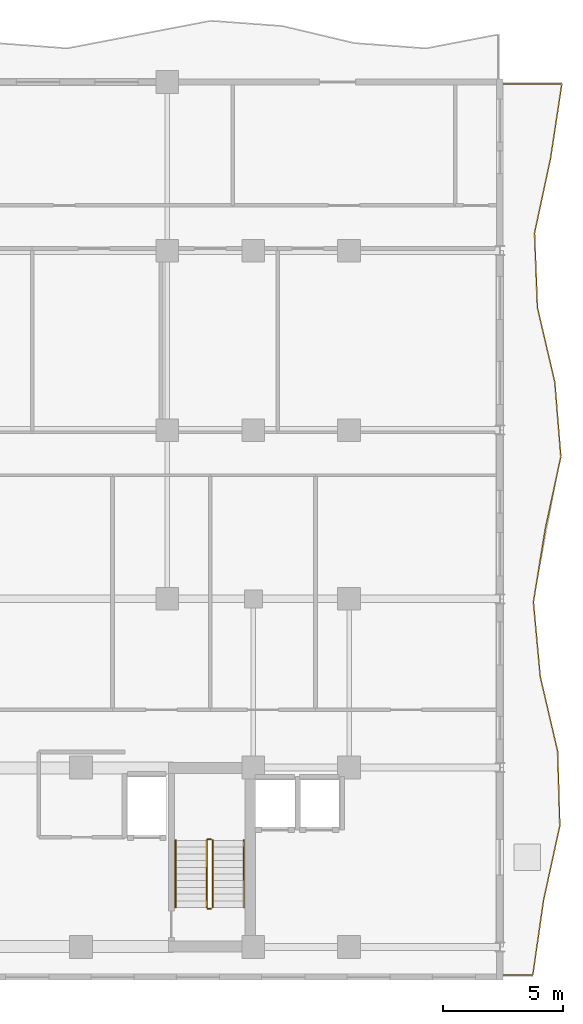
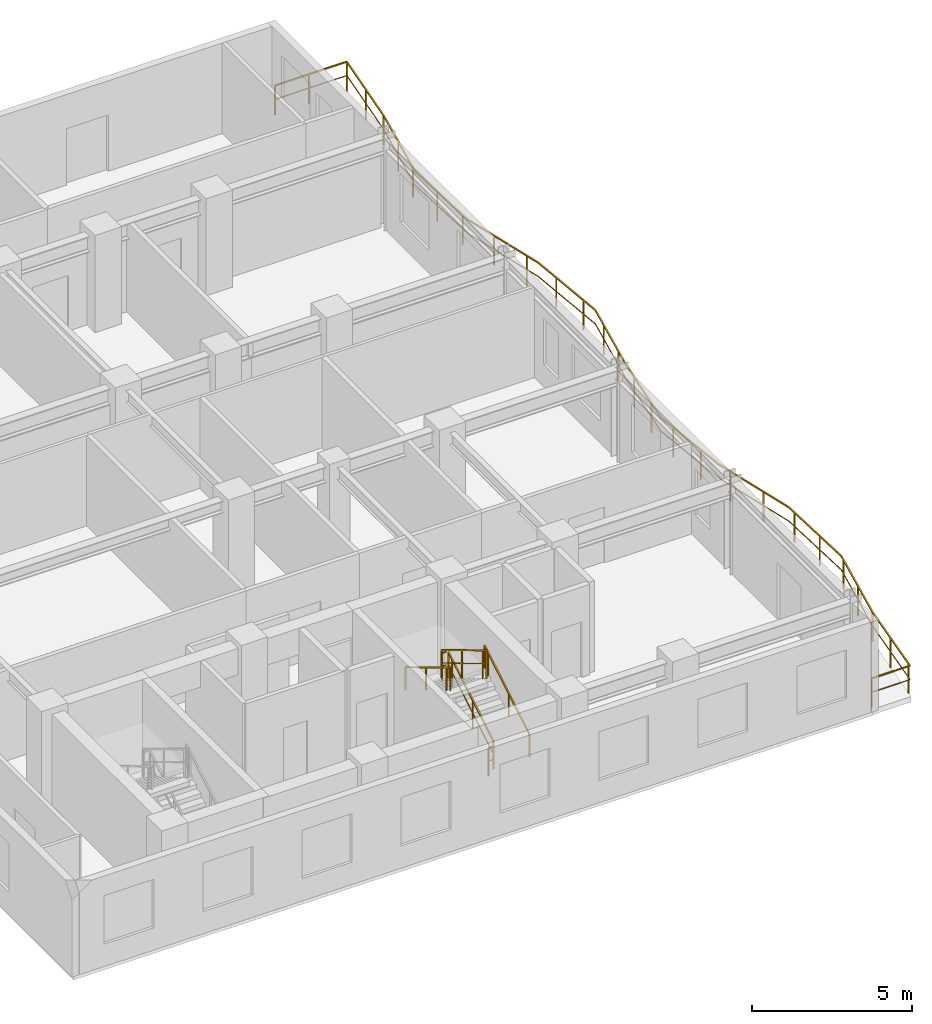
# One storey, part 15 of 16: 7 railings.
"""IFC4 building model written with IfcOpenShell, lengths in metres."""

from ifc_helpers import new_model, si_unit, direction, frame, origin, origin_2d, place, context, subcontext, project, spatial, rectangle, extrude, material, type_object, element, save


model = new_model("IFC4")

# Units and contexts
model_context = context("Model", 3, precision=1e-05, world=origin(), true_north=direction((0.0, 1.0)))
body_context = subcontext(model_context, "Body", "Model", "MODEL_VIEW")
ifc_project = project(units=[si_unit("LENGTHUNIT", "METRE"), si_unit("AREAUNIT", "SQUARE_METRE"), si_unit("VOLUMEUNIT", "CUBIC_METRE"), si_unit("PLANEANGLEUNIT", "RADIAN"), si_unit("MASSUNIT", "GRAM", prefix="KILO")], contexts=[model_context])

# Site, building, storey
site_placement = place(None, origin())
site = spatial("IfcSite", under=ifc_project, at=site_placement, CompositionType="ELEMENT")
building_placement = place(site_placement, origin())
building = spatial("IfcBuilding", under=site, at=building_placement, Name="Kaliganga Portal Commons", CompositionType="ELEMENT")
storey_placement = place(building_placement, frame((0.0, 0.0, 205.5)))
storey = spatial("IfcBuildingStorey", under=building, at=storey_placement, Name="L52", CompositionType="ELEMENT", Elevation=205.5)

# Railings
ifc_material_1 = material(Name="Laminated Safety Glass and Stainless Steel 316", Category="steel")
railing_type_1 = type_object("IfcRailingType", Name="RLG-BAL-1150", PredefinedType="BALUSTRADE", material=ifc_material_1)
railing_1_placement = place(storey_placement, frame((60.707275390625, 5.879638671875, 0.0)))
element("IfcRailing", 1, at=railing_1_placement, inside=storey, type_object=railing_type_1, Name="Balcony Guardrail L52 balc_east", PredefinedType="BALUSTRADE", context=body_context, shape_type="SweptSolid", body=[
    extrude(rectangle(XDim=0.048095703125, YDim=0.048095703125, at=origin_2d()), frame((0.0, 0.0, 1.1259765625), z_axis=(0.999999984265, 0.000177399323, 0.0), x_axis=(-0.000177399323, 0.999999984265, 0.0)), (0.0, 0.0, 1.0), 1.376220703125),
    extrude(rectangle(XDim=0.028076171875, YDim=0.028076171875, at=origin_2d()), frame((0.0, 0.0, 0.597900390625), z_axis=(0.999999984265, 0.000177399323, 0.0), x_axis=(-0.000177399323, 0.999999984265, 0.0)), (0.0, 0.0, 1.0), 1.376220703125),
    extrude(rectangle(XDim=0.048095703125, YDim=0.048095703125, at=origin_2d()), frame((1.376220703125, 0.000244140625, 1.1259765625), z_axis=(0.142050942072, 0.989859348522, 0.0), x_axis=(-0.989859348522, 0.142050942072, 0.0)), (0.0, 0.0, 1.0), 3.148681640625),
    extrude(rectangle(XDim=0.028076171875, YDim=0.028076171875, at=origin_2d()), frame((1.376220703125, 0.000244140625, 0.597900390625), z_axis=(0.142050942072, 0.989859348522, 0.0), x_axis=(-0.989859348522, 0.142050942072, 0.0)), (0.0, 0.0, 1.0), 3.148681640625),
    extrude(rectangle(XDim=0.048095703125, YDim=0.048095703125, at=origin_2d()), frame((1.823486328125, 3.116943359375, 1.1259765625), z_axis=(0.213306548237, 0.976985320503, 0.0), x_axis=(-0.976985320503, 0.213306548237, 0.0)), (0.0, 0.0, 1.0), 3.18994140625),
    extrude(rectangle(XDim=0.028076171875, YDim=0.028076171875, at=origin_2d()), frame((1.823486328125, 3.116943359375, 0.597900390625), z_axis=(0.213306548237, 0.976985320503, 0.0), x_axis=(-0.976985320503, 0.213306548237, 0.0)), (0.0, 0.0, 1.0), 3.18994140625),
    extrude(rectangle(XDim=0.048095703125, YDim=0.048095703125, at=origin_2d()), frame((2.50390625, 6.2333984375, 1.1259765625), z_axis=(-0.029205772037, 0.999573420455, 0.0), x_axis=(-0.999573420455, -0.029205772037, 0.0)), (0.0, 0.0, 1.0), 3.117919921875),
    extrude(rectangle(XDim=0.028076171875, YDim=0.028076171875, at=origin_2d()), frame((2.50390625, 6.2333984375, 0.597900390625), z_axis=(-0.029205772037, 0.999573420455, 0.0), x_axis=(-0.999573420455, -0.029205772037, 0.0)), (0.0, 0.0, 1.0), 3.117919921875),
    extrude(rectangle(XDim=0.048095703125, YDim=0.048095703125, at=origin_2d()), frame((2.412841796875, 9.35009765625, 1.1259765625), z_axis=(-0.226797922916, 0.973941837155, 0.0), x_axis=(-0.973941837155, -0.226797922916, 0.0)), (0.0, 0.0, 1.0), 3.200439453125),
    extrude(rectangle(XDim=0.028076171875, YDim=0.028076171875, at=origin_2d()), frame((2.412841796875, 9.35009765625, 0.597900390625), z_axis=(-0.226797922916, 0.973941837155, 0.0), x_axis=(-0.973941837155, -0.226797922916, 0.0)), (0.0, 0.0, 1.0), 3.200439453125),
    extrude(rectangle(XDim=0.048095703125, YDim=0.048095703125, at=origin_2d()), frame((1.68701171875, 12.467041015625, 1.1259765625), z_axis=(-0.091358738014, 0.995818046125, 0.0), x_axis=(-0.995818046125, -0.091358738014, 0.0)), (0.0, 0.0, 1.0), 3.12939453125),
    extrude(rectangle(XDim=0.028076171875, YDim=0.028076171875, at=origin_2d()), frame((1.68701171875, 12.467041015625, 0.597900390625), z_axis=(-0.091358738014, 0.995818046125, 0.0), x_axis=(-0.995818046125, -0.091358738014, 0.0)), (0.0, 0.0, 1.0), 3.12939453125),
    extrude(rectangle(XDim=0.048095703125, YDim=0.048095703125, at=origin_2d()), frame((1.401123046875, 15.583251953125, 1.1259765625), z_axis=(0.159197507151, 0.987246754219, 0.0), x_axis=(-0.987246754219, 0.159197507151, 0.0)), (0.0, 0.0, 1.0), 3.076416015625),
    extrude(rectangle(XDim=0.028076171875, YDim=0.028076171875, at=origin_2d()), frame((1.401123046875, 15.583251953125, 0.597900390625), z_axis=(0.159197507151, 0.987246754219, 0.0), x_axis=(-0.987246754219, 0.159197507151, 0.0)), (0.0, 0.0, 1.0), 3.076416015625),
    extrude(rectangle(XDim=0.048095703125, YDim=0.048095703125, at=origin_2d()), frame((1.890869140625, 18.620361328125, 1.1259765625), z_axis=(0.210965851536, 0.97749343194, 0.0), x_axis=(-0.97749343194, 0.210965851536, 0.0)), (0.0, 0.0, 1.0), 3.109619140625),
    extrude(rectangle(XDim=0.028076171875, YDim=0.028076171875, at=origin_2d()), frame((1.890869140625, 18.620361328125, 0.597900390625), z_axis=(0.210965851536, 0.97749343194, 0.0), x_axis=(-0.97749343194, 0.210965851536, 0.0)), (0.0, 0.0, 1.0), 3.109619140625),
    extrude(rectangle(XDim=0.048095703125, YDim=0.048095703125, at=origin_2d()), frame((2.546875, 21.659912109375, 1.1259765625), z_axis=(-0.080484364027, 0.996755871388, 0.0), x_axis=(-0.996755871388, -0.080484364027, 0.0)), (0.0, 0.0, 1.0), 3.12451171875),
    extrude(rectangle(XDim=0.028076171875, YDim=0.028076171875, at=origin_2d()), frame((2.546875, 21.659912109375, 0.597900390625), z_axis=(-0.080484364027, 0.996755871388, 0.0), x_axis=(-0.996755871388, -0.080484364027, 0.0)), (0.0, 0.0, 1.0), 3.12451171875),
    extrude(rectangle(XDim=0.048095703125, YDim=0.048095703125, at=origin_2d()), frame((2.29541015625, 24.774169921875, 1.1259765625), z_axis=(-0.22728267604, 0.97382882745, 0.0), x_axis=(-0.97382882745, -0.22728267604, 0.0)), (0.0, 0.0, 1.0), 3.199951171875),
    extrude(rectangle(XDim=0.028076171875, YDim=0.028076171875, at=origin_2d()), frame((2.29541015625, 24.774169921875, 0.597900390625), z_axis=(-0.22728267604, 0.97382882745, 0.0), x_axis=(-0.97382882745, -0.22728267604, 0.0)), (0.0, 0.0, 1.0), 3.199951171875),
    extrude(rectangle(XDim=0.048095703125, YDim=0.048095703125, at=origin_2d()), frame((1.568115234375, 27.890380859375, 1.1259765625), z_axis=(-0.038589439843, 0.999255150166, 0.0), x_axis=(-0.999255150166, -0.038589439843, 0.0)), (0.0, 0.0, 1.0), 3.119140625),
    extrude(rectangle(XDim=0.028076171875, YDim=0.028076171875, at=origin_2d()), frame((1.568115234375, 27.890380859375, 0.597900390625), z_axis=(-0.038589439843, 0.999255150166, 0.0), x_axis=(-0.999255150166, -0.038589439843, 0.0)), (0.0, 0.0, 1.0), 3.119140625),
    extrude(rectangle(XDim=0.048095703125, YDim=0.048095703125, at=origin_2d()), frame((1.44775390625, 31.007080078125, 1.1259765625), z_axis=(0.209780147745, 0.977748582005, 0.0), x_axis=(-0.977748582005, 0.209780147745, 0.0)), (0.0, 0.0, 1.0), 3.187744140625),
    extrude(rectangle(XDim=0.028076171875, YDim=0.028076171875, at=origin_2d()), frame((1.44775390625, 31.007080078125, 0.597900390625), z_axis=(0.209780147745, 0.977748582005, 0.0), x_axis=(-0.977748582005, 0.209780147745, 0.0)), (0.0, 0.0, 1.0), 3.187744140625),
    extrude(rectangle(XDim=0.048095703125, YDim=0.048095703125, at=origin_2d()), frame((2.116455078125, 34.123779296875, 1.1259765625), z_axis=(0.14978702516, 0.988718285, 0.0), x_axis=(-0.988718285, 0.14978702516, 0.0)), (0.0, 0.0, 1.0), 3.15234375),
    extrude(rectangle(XDim=0.028076171875, YDim=0.028076171875, at=origin_2d()), frame((2.116455078125, 34.123779296875, 0.597900390625), z_axis=(0.14978702516, 0.988718285, 0.0), x_axis=(-0.988718285, 0.14978702516, 0.0)), (0.0, 0.0, 1.0), 3.15234375),
    extrude(rectangle(XDim=0.048095703125, YDim=0.048095703125, at=origin_2d()), frame((2.588623046875, 37.240478515625, 1.1259765625), z_axis=(-0.999999995553, 9.431293e-05, 0.0), x_axis=(-9.431293e-05, -0.999999995553, 0.0)), (0.0, 0.0, 1.0), 2.588623046875),
    extrude(rectangle(XDim=0.028076171875, YDim=0.028076171875, at=origin_2d()), frame((2.588623046875, 37.240478515625, 0.597900390625), z_axis=(-0.999999995553, 9.431293e-05, 0.0), x_axis=(-9.431293e-05, -0.999999995553, 0.0)), (0.0, 0.0, 1.0), 2.588623046875),
    extrude(rectangle(XDim=0.0419921875, YDim=0.0419921875, at=origin_2d()), origin(), (0.0, 0.0, 1.0), 1.101806640625),
    extrude(rectangle(XDim=0.0419921875, YDim=0.0419921875, at=origin_2d()), frame((1.393798828125, 0.122802734375, 0.0)), (0.0, 0.0, 1.0), 1.101806640625),
    extrude(rectangle(XDim=0.0419921875, YDim=0.0419921875, at=origin_2d()), frame((1.60693359375, 1.607666015625, 0.0)), (0.0, 0.0, 1.0), 1.101806640625),
    extrude(rectangle(XDim=0.0419921875, YDim=0.0419921875, at=origin_2d()), frame((1.823486328125, 3.116943359375, 0.0)), (0.0, 0.0, 1.0), 1.101806640625),
    extrude(rectangle(XDim=0.0419921875, YDim=0.0419921875, at=origin_2d()), frame((2.13818359375, 4.55810546875, 0.0)), (0.0, 0.0, 1.0), 1.101806640625),
    extrude(rectangle(XDim=0.0419921875, YDim=0.0419921875, at=origin_2d()), frame((2.4580078125, 6.023681640625, 0.0)), (0.0, 0.0, 1.0), 1.101806640625),
    extrude(rectangle(XDim=0.0419921875, YDim=0.0419921875, at=origin_2d()), frame((2.46630859375, 7.51806640625, 0.0)), (0.0, 0.0, 1.0), 1.101806640625),
    extrude(rectangle(XDim=0.0419921875, YDim=0.0419921875, at=origin_2d()), frame((2.422607421875, 9.017578125, 0.0)), (0.0, 0.0, 1.0), 1.101806640625),
    extrude(rectangle(XDim=0.0419921875, YDim=0.0419921875, at=origin_2d()), frame((2.148193359375, 10.48681640625, 0.0)), (0.0, 0.0, 1.0), 1.101806640625),
    extrude(rectangle(XDim=0.0419921875, YDim=0.0419921875, at=origin_2d()), frame((1.807861328125, 11.94775390625, 0.0)), (0.0, 0.0, 1.0), 1.101806640625),
    extrude(rectangle(XDim=0.0419921875, YDim=0.0419921875, at=origin_2d()), frame((1.5986328125, 13.429931640625, 0.0)), (0.0, 0.0, 1.0), 1.101806640625),
    extrude(rectangle(XDim=0.0419921875, YDim=0.0419921875, at=origin_2d()), frame((1.461669921875, 14.923583984375, 0.0)), (0.0, 0.0, 1.0), 1.101806640625),
    extrude(rectangle(XDim=0.0419921875, YDim=0.0419921875, at=origin_2d()), frame((1.534423828125, 16.41015625, 0.0)), (0.0, 0.0, 1.0), 1.101806640625),
    extrude(rectangle(XDim=0.0419921875, YDim=0.0419921875, at=origin_2d()), frame((1.773193359375, 17.89111328125, 0.0)), (0.0, 0.0, 1.0), 1.101806640625),
    extrude(rectangle(XDim=0.0419921875, YDim=0.0419921875, at=origin_2d()), frame((2.051513671875, 19.364501953125, 0.0)), (0.0, 0.0, 1.0), 1.101806640625),
    extrude(rectangle(XDim=0.0419921875, YDim=0.0419921875, at=origin_2d()), frame((2.367919921875, 20.830810546875, 0.0)), (0.0, 0.0, 1.0), 1.101806640625),
    extrude(rectangle(XDim=0.0419921875, YDim=0.0419921875, at=origin_2d()), frame((2.494384765625, 22.3095703125, 0.0)), (0.0, 0.0, 1.0), 1.101806640625),
    extrude(rectangle(XDim=0.0419921875, YDim=0.0419921875, at=origin_2d()), frame((2.373779296875, 23.8046875, 0.0)), (0.0, 0.0, 1.0), 1.101806640625),
    extrude(rectangle(XDim=0.0419921875, YDim=0.0419921875, at=origin_2d()), frame((2.175537109375, 25.28759765625, 0.0)), (0.0, 0.0, 1.0), 1.101806640625),
    extrude(rectangle(XDim=0.0419921875, YDim=0.0419921875, at=origin_2d()), frame((1.834716796875, 26.74853515625, 0.0)), (0.0, 0.0, 1.0), 1.101806640625),
    extrude(rectangle(XDim=0.0419921875, YDim=0.0419921875, at=origin_2d()), frame((1.555419921875, 28.217529296875, 0.0)), (0.0, 0.0, 1.0), 1.101806640625),
    extrude(rectangle(XDim=0.0419921875, YDim=0.0419921875, at=origin_2d()), frame((1.49755859375, 29.71630859375, 0.0)), (0.0, 0.0, 1.0), 1.101806640625),
    extrude(rectangle(XDim=0.0419921875, YDim=0.0419921875, at=origin_2d()), frame((1.491455078125, 31.210693359375, 0.0)), (0.0, 0.0, 1.0), 1.101806640625),
    extrude(rectangle(XDim=0.0419921875, YDim=0.0419921875, at=origin_2d()), frame((1.80615234375, 32.677490234375, 0.0)), (0.0, 0.0, 1.0), 1.101806640625),
    extrude(rectangle(XDim=0.0419921875, YDim=0.0419921875, at=origin_2d()), frame((2.11962890625, 34.144287109375, 0.0)), (0.0, 0.0, 1.0), 1.101806640625),
    extrude(rectangle(XDim=0.0419921875, YDim=0.0419921875, at=origin_2d()), frame((2.34423828125, 35.62744140625, 0.0)), (0.0, 0.0, 1.0), 1.101806640625),
    extrude(rectangle(XDim=0.0419921875, YDim=0.0419921875, at=origin_2d()), frame((2.588623046875, 37.240478515625, 0.0)), (0.0, 0.0, 1.0), 1.101806640625),
    extrude(rectangle(XDim=0.0419921875, YDim=0.0419921875, at=origin_2d()), frame((1.22021484375, 37.24072265625, 0.0)), (0.0, 0.0, 1.0), 1.101806640625),
    extrude(rectangle(XDim=0.0419921875, YDim=0.0419921875, at=origin_2d()), frame((0.0, 37.24072265625, 0.0)), (0.0, 0.0, 1.0), 1.101806640625),
])
ifc_material_2 = material(Name="Galvanized Painted Steel Balustrade", Category="steel")
railing_type_2 = type_object("IfcRailingType", Name="RLG-STAIR-GRD", PredefinedType="GUARDRAIL", material=ifc_material_2)
railing_2_placement = place(storey_placement, frame((48.699951171875, 8.699951171875, 0.168212890625)))
element("IfcRailing", 2, at=railing_2_placement, inside=storey, type_object=railing_type_2, Name="L52 ST-B2 stair guard 1", PredefinedType="GUARDRAIL", context=body_context, shape_type="SweptSolid", body=[
    extrude(rectangle(XDim=0.048095703125, YDim=0.048095703125, at=origin_2d()), frame((0.0, 0.0, 1.072021484375), z_axis=(0.0, 0.857242210791, 0.514913383045), x_axis=(-1.0, 0.0, 0.0)), (0.0, 0.0, 1.0), 3.266357421875),
    extrude(rectangle(XDim=0.028076171875, YDim=0.028076171875, at=origin_2d()), frame((0.0, 0.0, 0.572021484375), z_axis=(0.0, 0.857242210791, 0.514913383045), x_axis=(-1.0, 0.0, 0.0)), (0.0, 0.0, 1.0), 3.266357421875),
    extrude(rectangle(XDim=0.0419921875, YDim=0.0419921875, at=origin_2d()), origin(), (0.0, 0.0, 1.0), 1.052001953125),
    extrude(rectangle(XDim=0.0419921875, YDim=0.0419921875, at=origin_2d()), frame((0.0, 1.285888671875, 0.7724609375)), (0.0, 0.0, 1.0), 1.052001953125),
    extrude(rectangle(XDim=0.0419921875, YDim=0.0419921875, at=origin_2d()), frame((0.0, 2.57177734375, 1.544677734375)), (0.0, 0.0, 1.0), 1.052001953125),
    extrude(rectangle(XDim=0.0419921875, YDim=0.0419921875, at=origin_2d()), frame((0.0, 2.800048828125, 1.681884765625)), (0.0, 0.0, 1.0), 1.052001953125),
])
railing_3_placement = place(storey_placement, frame((48.64990234375, 11.550048828125, 1.85009765625)))
element("IfcRailing", 3, at=railing_3_placement, inside=storey, type_object=railing_type_2, Name="L52 ST-B2 stair guard 2", PredefinedType="GUARDRAIL", context=body_context, shape_type="SweptSolid", body=[
    extrude(rectangle(XDim=0.048095703125, YDim=0.048095703125, at=origin_2d()), frame((0.0, 0.0, 1.076171875), z_axis=(-1.0, 0.0, 0.0), x_axis=(0.0, -1.0, 0.0)), (0.0, 0.0, 1.0), 0.14990234375),
    extrude(rectangle(XDim=0.028076171875, YDim=0.028076171875, at=origin_2d()), frame((0.0, 0.0, 0.572021484375), z_axis=(-1.0, 0.0, 0.0), x_axis=(0.0, -1.0, 0.0)), (0.0, 0.0, 1.0), 0.14990234375),
    extrude(rectangle(XDim=0.0419921875, YDim=0.0419921875, at=origin_2d()), frame((-0.14990234375, 0.0, 0.0)), (0.0, 0.0, 1.0), 1.052001953125),
])
railing_4_placement = place(storey_placement, frame((48.449951171875, 11.5, 2.01806640625)))
element("IfcRailing", 4, at=railing_4_placement, inside=storey, type_object=railing_type_2, Name="L52 ST-B2 stair guard 3", PredefinedType="GUARDRAIL", context=body_context, shape_type="SweptSolid", body=[
    extrude(rectangle(XDim=0.048095703125, YDim=0.048095703125, at=origin_2d()), frame((0.0, 0.0, 1.072021484375), z_axis=(0.0, -0.857242210791, 0.514913383045), x_axis=(1.0, 0.0, 0.0)), (0.0, 0.0, 1.0), 3.266357421875),
    extrude(rectangle(XDim=0.028076171875, YDim=0.028076171875, at=origin_2d()), frame((0.0, 0.0, 0.572021484375), z_axis=(0.0, -0.857242210791, 0.514913383045), x_axis=(1.0, 0.0, 0.0)), (0.0, 0.0, 1.0), 3.266357421875),
    extrude(rectangle(XDim=0.0419921875, YDim=0.0419921875, at=origin_2d()), origin(), (0.0, 0.0, 1.0), 1.052001953125),
    extrude(rectangle(XDim=0.0419921875, YDim=0.0419921875, at=origin_2d()), frame((0.0, -1.285888671875, 0.7724609375)), (0.0, 0.0, 1.0), 1.052001953125),
    extrude(rectangle(XDim=0.0419921875, YDim=0.0419921875, at=origin_2d()), frame((0.0, -2.57177734375, 1.544677734375)), (0.0, 0.0, 1.0), 1.052001953125),
    extrude(rectangle(XDim=0.0419921875, YDim=0.0419921875, at=origin_2d()), frame((0.0, -2.800048828125, 1.681884765625)), (0.0, 0.0, 1.0), 1.052001953125),
])
railing_5_placement = place(storey_placement, frame((48.64990234375, 8.64990234375, 0.0)))
element("IfcRailing", 5, at=railing_5_placement, inside=storey, type_object=railing_type_2, Name="L52 ST-B2 stair guard 4", PredefinedType="GUARDRAIL", context=body_context, shape_type="SweptSolid", body=[
    extrude(rectangle(XDim=0.048095703125, YDim=0.048095703125, at=origin_2d()), frame((0.0, 0.0, 1.076171875), z_axis=(-1.0, 0.0, 0.0), x_axis=(0.0, -1.0, 0.0)), (0.0, 0.0, 1.0), 0.14990234375),
    extrude(rectangle(XDim=0.028076171875, YDim=0.028076171875, at=origin_2d()), frame((0.0, 0.0, 0.572021484375), z_axis=(-1.0, 0.0, 0.0), x_axis=(0.0, -1.0, 0.0)), (0.0, 0.0, 1.0), 0.14990234375),
    extrude(rectangle(XDim=0.0419921875, YDim=0.0419921875, at=origin_2d()), frame((-0.14990234375, 0.0, 0.0)), (0.0, 0.0, 1.0), 1.052001953125),
])
ifc_material_3 = material(Name="Brushed Stainless Steel 316", Category="steel")
railing_type_3 = type_object("IfcRailingType", Name="RLG-STAIR-HR", PredefinedType="HANDRAIL", material=ifc_material_3)
railing_6_placement = place(storey_placement, frame((50.0, 8.699951171875, 0.168212890625)))
element("IfcRailing", 6, at=railing_6_placement, inside=storey, type_object=railing_type_3, Name="L52 ST-B2 stair handrail 1", PredefinedType="HANDRAIL", context=body_context, shape_type="SweptSolid", body=[
    extrude(rectangle(XDim=0.048095703125, YDim=0.048095703125, at=origin_2d()), frame((0.0, 0.0, 0.871826171875), z_axis=(0.0, 0.857242210791, 0.514913383045), x_axis=(-1.0, 0.0, 0.0)), (0.0, 0.0, 1.0), 3.266357421875),
    extrude(rectangle(XDim=0.0419921875, YDim=0.0419921875, at=origin_2d()), origin(), (0.0, 0.0, 1.0), 0.851806640625),
    extrude(rectangle(XDim=0.0419921875, YDim=0.0419921875, at=origin_2d()), frame((0.0, 1.285888671875, 0.7724609375)), (0.0, 0.0, 1.0), 0.851806640625),
    extrude(rectangle(XDim=0.0419921875, YDim=0.0419921875, at=origin_2d()), frame((0.0, 2.57177734375, 1.544677734375)), (0.0, 0.0, 1.0), 0.851806640625),
    extrude(rectangle(XDim=0.0419921875, YDim=0.0419921875, at=origin_2d()), frame((0.0, 2.800048828125, 1.681884765625)), (0.0, 0.0, 1.0), 0.851806640625),
])
railing_7_placement = place(storey_placement, frame((47.14990234375, 11.5, 2.01806640625)))
element("IfcRailing", 7, at=railing_7_placement, inside=storey, type_object=railing_type_3, Name="L52 ST-B2 stair handrail 2", PredefinedType="HANDRAIL", context=body_context, shape_type="SweptSolid", body=[
    extrude(rectangle(XDim=0.048095703125, YDim=0.048095703125, at=origin_2d()), frame((0.0, 0.0, 0.871826171875), z_axis=(0.0, -0.857242210791, 0.514913383045), x_axis=(1.0, 0.0, 0.0)), (0.0, 0.0, 1.0), 3.266357421875),
    extrude(rectangle(XDim=0.0419921875, YDim=0.0419921875, at=origin_2d()), origin(), (0.0, 0.0, 1.0), 0.851806640625),
    extrude(rectangle(XDim=0.0419921875, YDim=0.0419921875, at=origin_2d()), frame((0.0, -1.285888671875, 0.7724609375)), (0.0, 0.0, 1.0), 0.851806640625),
    extrude(rectangle(XDim=0.0419921875, YDim=0.0419921875, at=origin_2d()), frame((0.0, -2.57177734375, 1.544677734375)), (0.0, 0.0, 1.0), 0.851806640625),
    extrude(rectangle(XDim=0.0419921875, YDim=0.0419921875, at=origin_2d()), frame((0.0, -2.800048828125, 1.681884765625)), (0.0, 0.0, 1.0), 0.851806640625),
])

save(model, "model.ifc")
